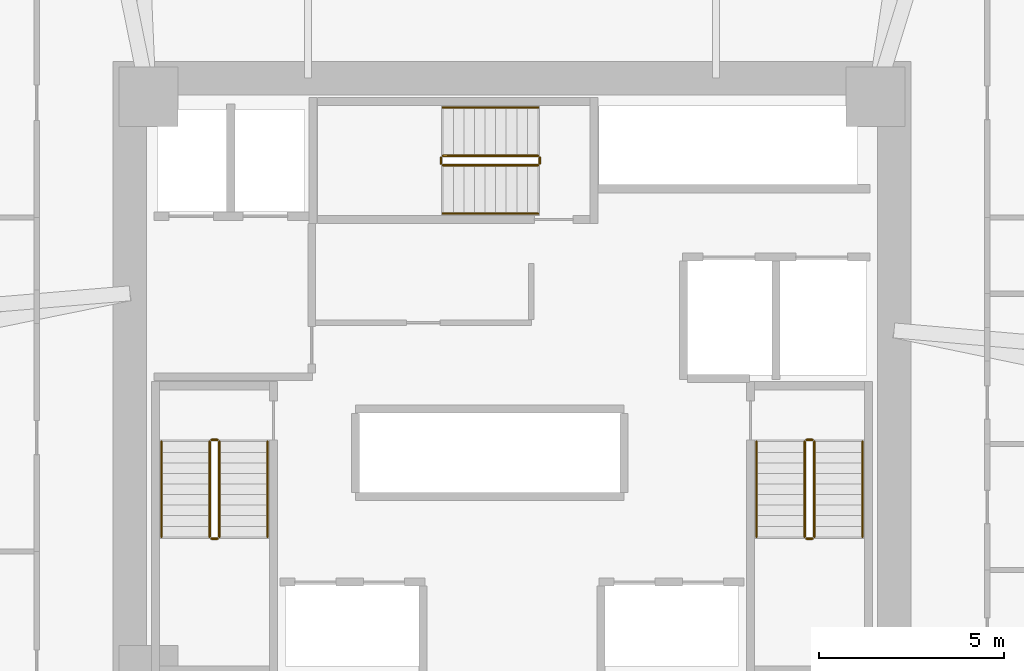
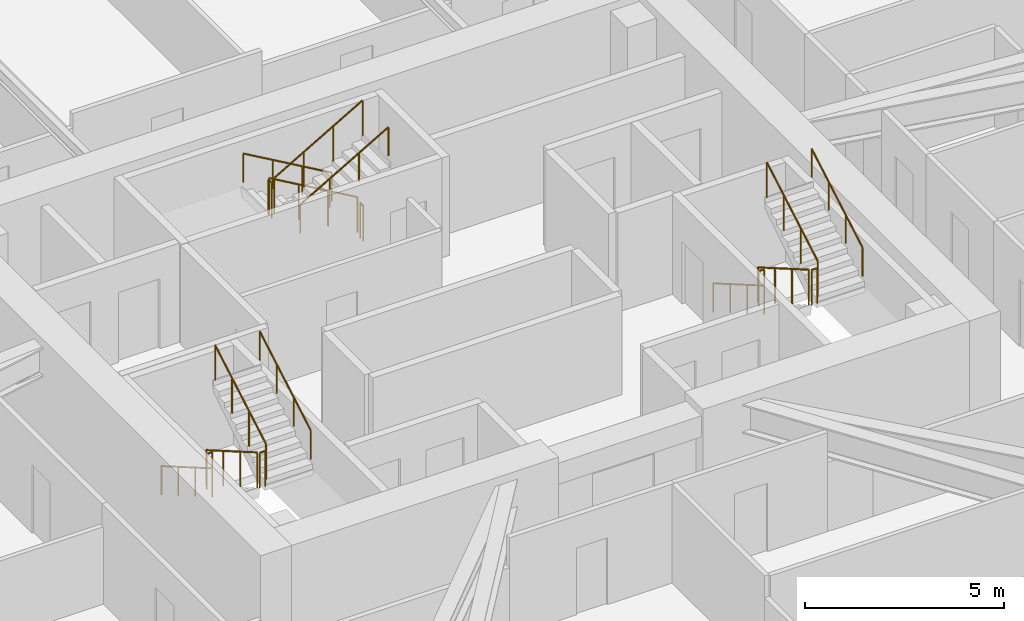
# One storey, part 17 of 17: 18 railings.
"""IFC4 building model written with IfcOpenShell, lengths in metres."""

from ifc_helpers import new_model, si_unit, direction, frame, origin, origin_2d, place, context, subcontext, project, spatial, circle, extrude, material, type_object, element, save


model = new_model("IFC4")

# Units and contexts
model_context = context("Model", 3, precision=1e-05, world=origin(), true_north=direction((0.0, 1.0)))
body_context = subcontext(model_context, "Body", "Model", "MODEL_VIEW")
ifc_project = project(units=[si_unit("LENGTHUNIT", "METRE"), si_unit("AREAUNIT", "SQUARE_METRE"), si_unit("VOLUMEUNIT", "CUBIC_METRE"), si_unit("PLANEANGLEUNIT", "RADIAN"), si_unit("MASSUNIT", "GRAM", prefix="KILO")], contexts=[model_context])

# Site, building, storey
site_placement = place(None, origin())
site = spatial("IfcSite", under=ifc_project, at=site_placement, CompositionType="ELEMENT")
building_placement = place(site_placement, origin())
building = spatial("IfcBuilding", under=site, at=building_placement, Name="Durnholm Broadcast Tower", CompositionType="ELEMENT")
storey_placement = place(building_placement, frame((0.0, 0.0, 72.0)))
storey = spatial("IfcBuildingStorey", under=building, at=storey_placement, Name="L18", CompositionType="ELEMENT", Elevation=72.0)

# Railings
ifc_material_1 = material(Name="Painted Tubular Steel Stair Guardrail", Category="steel")
railing_type_1 = type_object("IfcRailingType", Name="RAIL-ST-GRD", PredefinedType="GUARDRAIL", material=ifc_material_1)
railing_1_placement = place(storey_placement, frame((-8.14990234375, -1.5, 0.1650390625)))
element("IfcRailing", 1, at=railing_1_placement, inside=storey, type_object=railing_type_1, Name="L18 ST-1 stair guard 1", PredefinedType="GUARDRAIL", context=body_context, shape_type="SweptSolid", body=[
    extrude(circle(Radius=0.02392578125, at=origin_2d()), frame((0.0, 0.0, 1.076171875), z_axis=(0.0, -0.865441324677, 0.50101029285), x_axis=(1.0, 0.0, 0.0)), (0.0, 0.0, 1.0), 2.963623046875),
    extrude(circle(Radius=0.02099609375, at=origin_2d()), origin(), (0.0, 0.0, 1.0), 1.052001953125),
    extrude(circle(Radius=0.02099609375, at=origin_2d()), frame((0.0, -0.85498046875, 0.494873046875)), (0.0, 0.0, 1.0), 1.052001953125),
    extrude(circle(Radius=0.02099609375, at=origin_2d()), frame((0.0, -1.7099609375, 0.989990234375)), (0.0, 0.0, 1.0), 1.052001953125),
    extrude(circle(Radius=0.02099609375, at=origin_2d()), frame((0.0, -2.56494140625, 1.48486328125)), (0.0, 0.0, 1.0), 1.052001953125),
])
railing_2_placement = place(storey_placement, frame((-8.10009765625, -4.114990234375, 1.64990234375)))
element("IfcRailing", 2, at=railing_2_placement, inside=storey, type_object=railing_type_1, Name="L18 ST-1 stair guard 2", PredefinedType="GUARDRAIL", context=body_context, shape_type="SweptSolid", body=[
    extrude(circle(Radius=0.02392578125, at=origin_2d()), frame((0.0, 0.0, 1.076171875), z_axis=(1.0, 0.0, 0.0), x_axis=(0.0, 1.0, 0.0)), (0.0, 0.0, 1.0), 0.16015625),
    extrude(circle(Radius=0.02099609375, at=origin_2d()), origin(), (0.0, 0.0, 1.0), 1.052001953125),
    extrude(circle(Radius=0.02099609375, at=origin_2d()), frame((0.16015625, 0.0, 0.0)), (0.0, 0.0, 1.0), 1.052001953125),
])
railing_3_placement = place(storey_placement, frame((-7.889892578125, -4.06494140625, 1.81494140625)))
element("IfcRailing", 3, at=railing_3_placement, inside=storey, type_object=railing_type_1, Name="L18 ST-1 stair guard 3", PredefinedType="GUARDRAIL", context=body_context, shape_type="SweptSolid", body=[
    extrude(circle(Radius=0.02392578125, at=origin_2d()), frame((0.0, 0.0, 1.076171875), z_axis=(0.0, 0.865405606168, 0.501071987656), x_axis=(-1.0, 0.0, 0.0)), (0.0, 0.0, 1.0), 2.9638671875),
    extrude(circle(Radius=0.02099609375, at=origin_2d()), origin(), (0.0, 0.0, 1.0), 1.052001953125),
    extrude(circle(Radius=0.02099609375, at=origin_2d()), frame((0.0, 0.85498046875, 0.4951171875)), (0.0, 0.0, 1.0), 1.052001953125),
    extrude(circle(Radius=0.02099609375, at=origin_2d()), frame((0.0, 1.7099609375, 0.989990234375)), (0.0, 0.0, 1.0), 1.052001953125),
    extrude(circle(Radius=0.02099609375, at=origin_2d()), frame((0.0, 2.56494140625, 1.485107421875)), (0.0, 0.0, 1.0), 1.052001953125),
])
railing_4_placement = place(storey_placement, frame((-8.10009765625, -1.449951171875, 0.0)))
element("IfcRailing", 4, at=railing_4_placement, inside=storey, type_object=railing_type_1, Name="L18 ST-1 stair guard 4", PredefinedType="GUARDRAIL", context=body_context, shape_type="SweptSolid", body=[
    extrude(circle(Radius=0.02392578125, at=origin_2d()), frame((0.0, 0.0, 1.076171875), z_axis=(1.0, 0.0, 0.0), x_axis=(0.0, 1.0, 0.0)), (0.0, 0.0, 1.0), 0.16015625),
    extrude(circle(Radius=0.02099609375, at=origin_2d()), origin(), (0.0, 0.0, 1.0), 1.052001953125),
    extrude(circle(Radius=0.02099609375, at=origin_2d()), frame((0.16015625, 0.0, 0.0)), (0.0, 0.0, 1.0), 1.052001953125),
])
railing_5_placement = place(storey_placement, frame((7.889892578125, -1.5, 0.1650390625)))
element("IfcRailing", 5, at=railing_5_placement, inside=storey, type_object=railing_type_1, Name="L18 ST-2 stair guard 1", PredefinedType="GUARDRAIL", context=body_context, shape_type="SweptSolid", body=[
    extrude(circle(Radius=0.02392578125, at=origin_2d()), frame((0.0, 0.0, 1.076171875), z_axis=(0.0, -0.865441324677, 0.50101029285), x_axis=(1.0, 0.0, 0.0)), (0.0, 0.0, 1.0), 2.963623046875),
    extrude(circle(Radius=0.02099609375, at=origin_2d()), origin(), (0.0, 0.0, 1.0), 1.052001953125),
    extrude(circle(Radius=0.02099609375, at=origin_2d()), frame((0.0, -0.85498046875, 0.494873046875)), (0.0, 0.0, 1.0), 1.052001953125),
    extrude(circle(Radius=0.02099609375, at=origin_2d()), frame((0.0, -1.7099609375, 0.989990234375)), (0.0, 0.0, 1.0), 1.052001953125),
    extrude(circle(Radius=0.02099609375, at=origin_2d()), frame((0.0, -2.56494140625, 1.48486328125)), (0.0, 0.0, 1.0), 1.052001953125),
])
railing_6_placement = place(storey_placement, frame((7.93994140625, -4.114990234375, 1.64990234375)))
element("IfcRailing", 6, at=railing_6_placement, inside=storey, type_object=railing_type_1, Name="L18 ST-2 stair guard 2", PredefinedType="GUARDRAIL", context=body_context, shape_type="SweptSolid", body=[
    extrude(circle(Radius=0.02392578125, at=origin_2d()), frame((0.0, 0.0, 1.076171875), z_axis=(1.0, 0.0, 0.0), x_axis=(0.0, 1.0, 0.0)), (0.0, 0.0, 1.0), 0.16015625),
    extrude(circle(Radius=0.02099609375, at=origin_2d()), origin(), (0.0, 0.0, 1.0), 1.052001953125),
    extrude(circle(Radius=0.02099609375, at=origin_2d()), frame((0.16015625, 0.0, 0.0)), (0.0, 0.0, 1.0), 1.052001953125),
])
railing_7_placement = place(storey_placement, frame((8.14990234375, -4.06494140625, 1.81494140625)))
element("IfcRailing", 7, at=railing_7_placement, inside=storey, type_object=railing_type_1, Name="L18 ST-2 stair guard 3", PredefinedType="GUARDRAIL", context=body_context, shape_type="SweptSolid", body=[
    extrude(circle(Radius=0.02392578125, at=origin_2d()), frame((0.0, 0.0, 1.076171875), z_axis=(0.0, 0.865405606168, 0.501071987656), x_axis=(-1.0, 0.0, 0.0)), (0.0, 0.0, 1.0), 2.9638671875),
    extrude(circle(Radius=0.02099609375, at=origin_2d()), origin(), (0.0, 0.0, 1.0), 1.052001953125),
    extrude(circle(Radius=0.02099609375, at=origin_2d()), frame((0.0, 0.85498046875, 0.4951171875)), (0.0, 0.0, 1.0), 1.052001953125),
    extrude(circle(Radius=0.02099609375, at=origin_2d()), frame((0.0, 1.7099609375, 0.989990234375)), (0.0, 0.0, 1.0), 1.052001953125),
    extrude(circle(Radius=0.02099609375, at=origin_2d()), frame((0.0, 2.56494140625, 1.485107421875)), (0.0, 0.0, 1.0), 1.052001953125),
])
railing_8_placement = place(storey_placement, frame((7.93994140625, -1.449951171875, 0.0)))
element("IfcRailing", 8, at=railing_8_placement, inside=storey, type_object=railing_type_1, Name="L18 ST-2 stair guard 4", PredefinedType="GUARDRAIL", context=body_context, shape_type="SweptSolid", body=[
    extrude(circle(Radius=0.02392578125, at=origin_2d()), frame((0.0, 0.0, 1.076171875), z_axis=(1.0, 0.0, 0.0), x_axis=(0.0, 1.0, 0.0)), (0.0, 0.0, 1.0), 0.16015625),
    extrude(circle(Radius=0.02099609375, at=origin_2d()), origin(), (0.0, 0.0, 1.0), 1.052001953125),
    extrude(circle(Radius=0.02099609375, at=origin_2d()), frame((0.16015625, 0.0, 0.0)), (0.0, 0.0, 1.0), 1.052001953125),
])
railing_9_placement = place(storey_placement, frame((0.699951171875, 6.2099609375, 0.1650390625)))
element("IfcRailing", 9, at=railing_9_placement, inside=storey, type_object=railing_type_1, Name="L18 ST-3 stair guard 1", PredefinedType="GUARDRAIL", context=body_context, shape_type="SweptSolid", body=[
    extrude(circle(Radius=0.02392578125, at=origin_2d()), frame((0.0, 0.0, 1.076171875), z_axis=(-0.865441324677, 0.0, 0.50101029285), x_axis=(0.0, -1.0, 0.0)), (0.0, 0.0, 1.0), 2.963623046875),
    extrude(circle(Radius=0.02099609375, at=origin_2d()), origin(), (0.0, 0.0, 1.0), 1.052001953125),
    extrude(circle(Radius=0.02099609375, at=origin_2d()), frame((-0.85498046875, 0.0, 0.494873046875)), (0.0, 0.0, 1.0), 1.052001953125),
    extrude(circle(Radius=0.02099609375, at=origin_2d()), frame((-1.7099609375, 0.0, 0.989990234375)), (0.0, 0.0, 1.0), 1.052001953125),
    extrude(circle(Radius=0.02099609375, at=origin_2d()), frame((-2.56494140625, 0.0, 1.48486328125)), (0.0, 0.0, 1.0), 1.052001953125),
])
railing_10_placement = place(storey_placement, frame((-1.9150390625, 6.159912109375, 1.64990234375)))
element("IfcRailing", 10, at=railing_10_placement, inside=storey, type_object=railing_type_1, Name="L18 ST-3 stair guard 2", PredefinedType="GUARDRAIL", context=body_context, shape_type="SweptSolid", body=[
    extrude(circle(Radius=0.02392578125, at=origin_2d()), frame((0.0, 0.0, 1.076171875), z_axis=(0.0, -1.0, 0.0), x_axis=(1.0, 0.0, 0.0)), (0.0, 0.0, 1.0), 0.159912109375),
    extrude(circle(Radius=0.02099609375, at=origin_2d()), origin(), (0.0, 0.0, 1.0), 1.052001953125),
    extrude(circle(Radius=0.02099609375, at=origin_2d()), frame((0.0, -0.159912109375, 0.0)), (0.0, 0.0, 1.0), 1.052001953125),
])
railing_11_placement = place(storey_placement, frame((-1.864990234375, 5.949951171875, 1.81494140625)))
element("IfcRailing", 11, at=railing_11_placement, inside=storey, type_object=railing_type_1, Name="L18 ST-3 stair guard 3", PredefinedType="GUARDRAIL", context=body_context, shape_type="SweptSolid", body=[
    extrude(circle(Radius=0.02392578125, at=origin_2d()), frame((0.0, 0.0, 1.076171875), z_axis=(0.865405606168, 0.0, 0.501071987656), x_axis=(0.0, 1.0, 0.0)), (0.0, 0.0, 1.0), 2.9638671875),
    extrude(circle(Radius=0.02099609375, at=origin_2d()), origin(), (0.0, 0.0, 1.0), 1.052001953125),
    extrude(circle(Radius=0.02099609375, at=origin_2d()), frame((0.85498046875, 0.0, 0.4951171875)), (0.0, 0.0, 1.0), 1.052001953125),
    extrude(circle(Radius=0.02099609375, at=origin_2d()), frame((1.7099609375, 0.0, 0.989990234375)), (0.0, 0.0, 1.0), 1.052001953125),
    extrude(circle(Radius=0.02099609375, at=origin_2d()), frame((2.56494140625, 0.0, 1.485107421875)), (0.0, 0.0, 1.0), 1.052001953125),
])
railing_12_placement = place(storey_placement, frame((0.75, 6.159912109375, 0.0)))
element("IfcRailing", 12, at=railing_12_placement, inside=storey, type_object=railing_type_1, Name="L18 ST-3 stair guard 4", PredefinedType="GUARDRAIL", context=body_context, shape_type="SweptSolid", body=[
    extrude(circle(Radius=0.02392578125, at=origin_2d()), frame((0.0, 0.0, 1.076171875), z_axis=(0.0, -1.0, 0.0), x_axis=(1.0, 0.0, 0.0)), (0.0, 0.0, 1.0), 0.159912109375),
    extrude(circle(Radius=0.02099609375, at=origin_2d()), origin(), (0.0, 0.0, 1.0), 1.052001953125),
    extrude(circle(Radius=0.02099609375, at=origin_2d()), frame((0.0, -0.159912109375, 0.0)), (0.0, 0.0, 1.0), 1.052001953125),
])
ifc_material_2 = material(Name="Brushed Stainless Steel Handrail", Category="steel")
railing_type_2 = type_object("IfcRailingType", Name="RAIL-ST-HND", PredefinedType="HANDRAIL", material=ifc_material_2)
railing_13_placement = place(storey_placement, frame((-9.449951171875, -1.5, 0.330078125)))
element("IfcRailing", 13, at=railing_13_placement, inside=storey, type_object=railing_type_2, Name="L18 ST-1 stair handrail 1", PredefinedType="HANDRAIL", context=body_context, shape_type="SweptSolid", body=[
    extrude(circle(Radius=0.02392578125, at=origin_2d()), frame((0.0, 0.0, 0.8759765625), z_axis=(0.0, -0.865441324677, 0.50101029285), x_axis=(1.0, 0.0, 0.0)), (0.0, 0.0, 1.0), 2.963623046875),
    extrude(circle(Radius=0.02099609375, at=origin_2d()), origin(), (0.0, 0.0, 1.0), 0.851806640625),
    extrude(circle(Radius=0.02099609375, at=origin_2d()), frame((0.0, -0.85498046875, 0.494873046875)), (0.0, 0.0, 1.0), 0.851806640625),
    extrude(circle(Radius=0.02099609375, at=origin_2d()), frame((0.0, -1.7099609375, 0.989990234375)), (0.0, 0.0, 1.0), 0.851806640625),
    extrude(circle(Radius=0.02099609375, at=origin_2d()), frame((0.0, -2.56494140625, 1.48486328125)), (0.0, 0.0, 1.0), 0.851806640625),
])
railing_14_placement = place(storey_placement, frame((-6.590087890625, -4.06494140625, 1.97998046875)))
element("IfcRailing", 14, at=railing_14_placement, inside=storey, type_object=railing_type_2, Name="L18 ST-1 stair handrail 2", PredefinedType="HANDRAIL", context=body_context, shape_type="SweptSolid", body=[
    extrude(circle(Radius=0.02392578125, at=origin_2d()), frame((0.0, 0.0, 0.8759765625), z_axis=(0.0, 0.865405606168, 0.501071987656), x_axis=(-1.0, 0.0, 0.0)), (0.0, 0.0, 1.0), 2.9638671875),
    extrude(circle(Radius=0.02099609375, at=origin_2d()), origin(), (0.0, 0.0, 1.0), 0.851806640625),
    extrude(circle(Radius=0.02099609375, at=origin_2d()), frame((0.0, 0.85498046875, 0.4951171875)), (0.0, 0.0, 1.0), 0.851806640625),
    extrude(circle(Radius=0.02099609375, at=origin_2d()), frame((0.0, 1.7099609375, 0.989990234375)), (0.0, 0.0, 1.0), 0.851806640625),
    extrude(circle(Radius=0.02099609375, at=origin_2d()), frame((0.0, 2.56494140625, 1.485107421875)), (0.0, 0.0, 1.0), 0.851806640625),
])
railing_15_placement = place(storey_placement, frame((6.590087890625, -1.5, 0.330078125)))
element("IfcRailing", 15, at=railing_15_placement, inside=storey, type_object=railing_type_2, Name="L18 ST-2 stair handrail 1", PredefinedType="HANDRAIL", context=body_context, shape_type="SweptSolid", body=[
    extrude(circle(Radius=0.02392578125, at=origin_2d()), frame((0.0, 0.0, 0.8759765625), z_axis=(0.0, -0.865441324677, 0.50101029285), x_axis=(1.0, 0.0, 0.0)), (0.0, 0.0, 1.0), 2.963623046875),
    extrude(circle(Radius=0.02099609375, at=origin_2d()), origin(), (0.0, 0.0, 1.0), 0.851806640625),
    extrude(circle(Radius=0.02099609375, at=origin_2d()), frame((0.0, -0.85498046875, 0.494873046875)), (0.0, 0.0, 1.0), 0.851806640625),
    extrude(circle(Radius=0.02099609375, at=origin_2d()), frame((0.0, -1.7099609375, 0.989990234375)), (0.0, 0.0, 1.0), 0.851806640625),
    extrude(circle(Radius=0.02099609375, at=origin_2d()), frame((0.0, -2.56494140625, 1.48486328125)), (0.0, 0.0, 1.0), 0.851806640625),
])
railing_16_placement = place(storey_placement, frame((9.449951171875, -4.06494140625, 1.97998046875)))
element("IfcRailing", 16, at=railing_16_placement, inside=storey, type_object=railing_type_2, Name="L18 ST-2 stair handrail 2", PredefinedType="HANDRAIL", context=body_context, shape_type="SweptSolid", body=[
    extrude(circle(Radius=0.02392578125, at=origin_2d()), frame((0.0, 0.0, 0.8759765625), z_axis=(0.0, 0.865405606168, 0.501071987656), x_axis=(-1.0, 0.0, 0.0)), (0.0, 0.0, 1.0), 2.9638671875),
    extrude(circle(Radius=0.02099609375, at=origin_2d()), origin(), (0.0, 0.0, 1.0), 0.851806640625),
    extrude(circle(Radius=0.02099609375, at=origin_2d()), frame((0.0, 0.85498046875, 0.4951171875)), (0.0, 0.0, 1.0), 0.851806640625),
    extrude(circle(Radius=0.02099609375, at=origin_2d()), frame((0.0, 1.7099609375, 0.989990234375)), (0.0, 0.0, 1.0), 0.851806640625),
    extrude(circle(Radius=0.02099609375, at=origin_2d()), frame((0.0, 2.56494140625, 1.485107421875)), (0.0, 0.0, 1.0), 0.851806640625),
])
railing_17_placement = place(storey_placement, frame((0.699951171875, 7.510009765625, 0.330078125)))
element("IfcRailing", 17, at=railing_17_placement, inside=storey, type_object=railing_type_2, Name="L18 ST-3 stair handrail 1", PredefinedType="HANDRAIL", context=body_context, shape_type="SweptSolid", body=[
    extrude(circle(Radius=0.02392578125, at=origin_2d()), frame((0.0, 0.0, 0.8759765625), z_axis=(-0.865441324677, 0.0, 0.50101029285), x_axis=(0.0, -1.0, 0.0)), (0.0, 0.0, 1.0), 2.963623046875),
    extrude(circle(Radius=0.02099609375, at=origin_2d()), origin(), (0.0, 0.0, 1.0), 0.851806640625),
    extrude(circle(Radius=0.02099609375, at=origin_2d()), frame((-0.85498046875, 0.0, 0.494873046875)), (0.0, 0.0, 1.0), 0.851806640625),
    extrude(circle(Radius=0.02099609375, at=origin_2d()), frame((-1.7099609375, 0.0, 0.989990234375)), (0.0, 0.0, 1.0), 0.851806640625),
    extrude(circle(Radius=0.02099609375, at=origin_2d()), frame((-2.56494140625, 0.0, 1.48486328125)), (0.0, 0.0, 1.0), 0.851806640625),
])
railing_18_placement = place(storey_placement, frame((-1.864990234375, 4.64990234375, 1.97998046875)))
element("IfcRailing", 18, at=railing_18_placement, inside=storey, type_object=railing_type_2, Name="L18 ST-3 stair handrail 2", PredefinedType="HANDRAIL", context=body_context, shape_type="SweptSolid", body=[
    extrude(circle(Radius=0.02392578125, at=origin_2d()), frame((0.0, 0.0, 0.8759765625), z_axis=(0.865405606168, 0.0, 0.501071987656), x_axis=(0.0, 1.0, 0.0)), (0.0, 0.0, 1.0), 2.9638671875),
    extrude(circle(Radius=0.02099609375, at=origin_2d()), origin(), (0.0, 0.0, 1.0), 0.851806640625),
    extrude(circle(Radius=0.02099609375, at=origin_2d()), frame((0.85498046875, 0.0, 0.4951171875)), (0.0, 0.0, 1.0), 0.851806640625),
    extrude(circle(Radius=0.02099609375, at=origin_2d()), frame((1.7099609375, 0.0, 0.989990234375)), (0.0, 0.0, 1.0), 0.851806640625),
    extrude(circle(Radius=0.02099609375, at=origin_2d()), frame((2.56494140625, 0.0, 1.485107421875)), (0.0, 0.0, 1.0), 0.851806640625),
])

save(model, "model.ifc")
